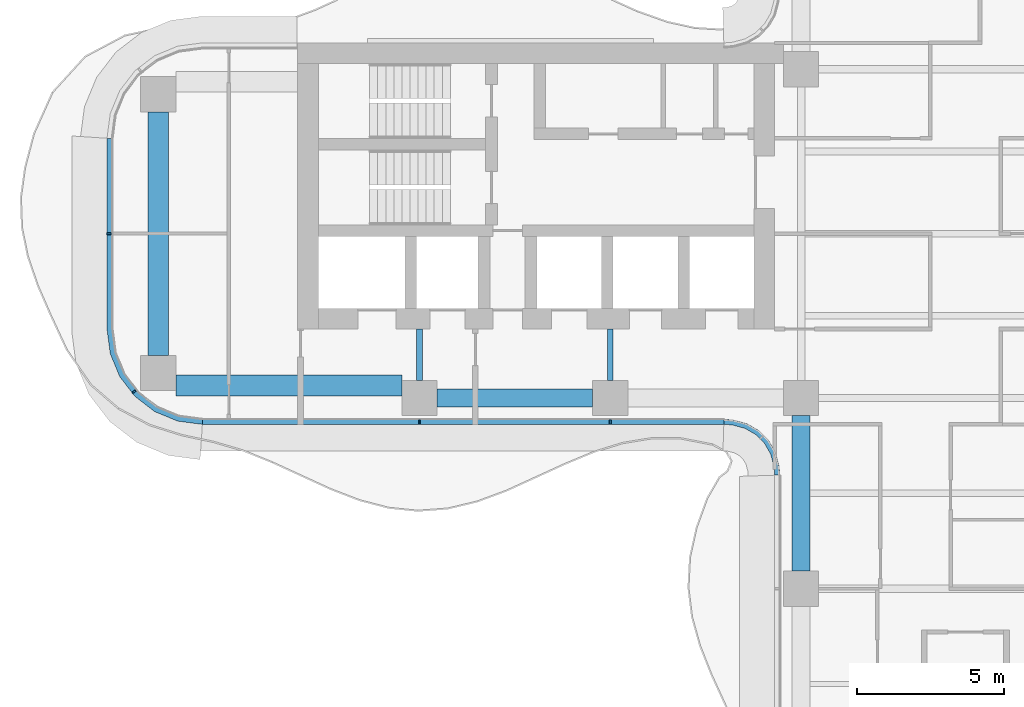
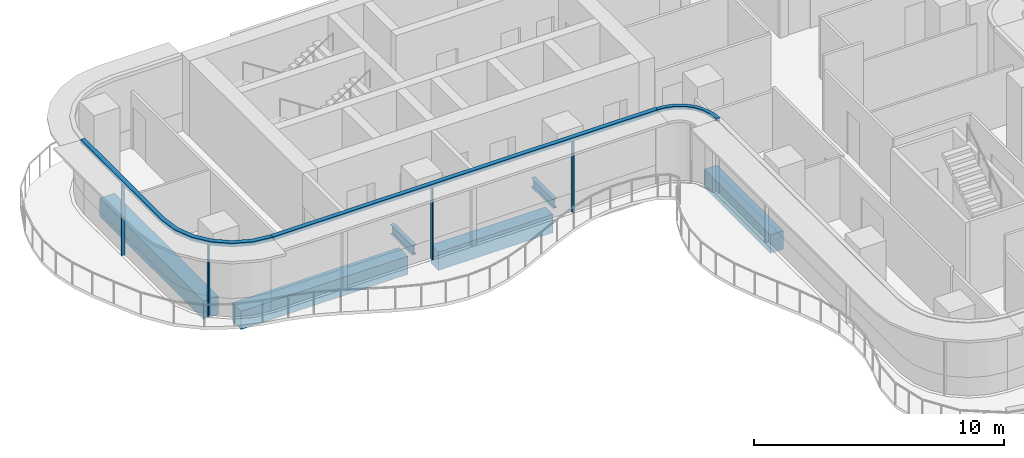
# One storey, part 3 of 18: 7 members, 6 beams, 3 elements without a shape of their own.
"""IFC4 building model written with IfcOpenShell, lengths in metres."""

from ifc_helpers import new_model, si_unit, direction, frame, origin, origin_2d, place, context, subcontext, project, spatial, polyline, rectangle, i_section, outline, extrude, source, transform, mapped, material, layer, layer_set, material_profile, profile_set, type_object, element, aggregate, save


model = new_model("IFC4")

# Units and contexts
model_context = context("Model", 3, precision=1e-05, world=origin(), true_north=direction((0.0, 1.0)))
body_context = subcontext(model_context, "Body", "Model", "MODEL_VIEW")
ifc_project = project(units=[si_unit("LENGTHUNIT", "METRE"), si_unit("AREAUNIT", "SQUARE_METRE"), si_unit("VOLUMEUNIT", "CUBIC_METRE"), si_unit("PLANEANGLEUNIT", "RADIAN"), si_unit("MASSUNIT", "GRAM", prefix="KILO")], contexts=[model_context])

# Site, building, storey
site_placement = place(None, origin())
site = spatial("IfcSite", under=ifc_project, at=site_placement, CompositionType="ELEMENT")
building_placement = place(site_placement, origin())
building = spatial("IfcBuilding", under=site, at=building_placement, Name="Trellis Farm Tower", CompositionType="ELEMENT")
storey_placement = place(building_placement, frame((0.0, 0.0, 193.199951171875)))
storey = spatial("IfcBuildingStorey", under=building, at=storey_placement, Name="L42", CompositionType="ELEMENT", Elevation=193.199951171875)

# Beams
ifc_material_1 = material(Name="Concrete C60/75", Category="concrete")
ifc_material_profile_1 = material_profile(ifc_material_1, rectangle(XDim=0.60009765625, YDim=0.89990234375, at=origin_2d()), Name="RC spandrel beam 600x900 C60/75")
ifc_profile_set_1 = profile_set([ifc_material_profile_1], Name="Concrete C60/75")
beam_type_1 = type_object("IfcBeamType", Name="RC spandrel beam 600x900 C60/75", PredefinedType="SPANDREL", material=ifc_profile_set_1)
shared_shape_1 = source(origin(), body_context, "Body", "SweptSolid", [
    extrude(rectangle(XDim=0.60009765625, YDim=0.89990234375, at=origin_2d()), origin(), (0.0, 0.0, 1.0), 5.300048828125),
])
for number, where, z_axis, x_axis, name in (
    (1, (-18.0, -5.60009765625, -0.64990234375), (1.0, 0.0, 0.0), (0.0, 1.0, 0.0), "Girder"),
    (2, (-5.60009765625, -11.5, -0.64990234375), (0.0, 1.0, 0.0), (-1.0, 0.0, 0.0), "Girder"),
):
    element("IfcBeam", number, at=place(storey_placement, frame(where, z_axis=z_axis, x_axis=x_axis)), inside=storey, type_object=beam_type_1, Name=name, PredefinedType="SPANDREL", context=body_context, shape_type="MappedRepresentation", body=[
        mapped(shared_shape_1, transform((0.0, 0.0, 0.0))),
    ])
ifc_material_profile_2 = material_profile(ifc_material_1, rectangle(XDim=0.699951171875, YDim=0.89990234375, at=origin_2d()), Name="RC spandrel beam 700x900 C60/75")
ifc_profile_set_2 = profile_set([ifc_material_profile_2], Name="Concrete C60/75")
beam_type_2 = type_object("IfcBeamType", Name="RC spandrel beam 700x900 C60/75", PredefinedType="SPANDREL", material=ifc_profile_set_2)
shared_shape_2 = source(origin(), body_context, "Body", "SweptSolid", [
    extrude(rectangle(XDim=0.699951171875, YDim=0.89990234375, at=origin_2d()), origin(), (0.0, 0.0, 1.0), 8.2998046875),
])
beam_1_placement = place(storey_placement, frame((-27.5, -4.14990234375, -0.64990234375), z_axis=(0.0, 1.0, 0.0), x_axis=(-1.0, 0.0, 0.0)))
element("IfcBeam", 3, at=beam_1_placement, inside=storey, type_object=beam_type_2, Name="Girder", PredefinedType="SPANDREL", context=body_context, shape_type="MappedRepresentation", body=[
    mapped(shared_shape_2, transform((0.0, 0.0, 0.0))),
])
ifc_material_2 = material(Name="Steel S355", Category="steel")
ifc_material_profile_3 = material_profile(ifc_material_2, i_section(OverallWidth=0.1904296875, OverallDepth=0.45703125, WebThickness=0.009033203125, FlangeThickness=0.014404296875, FilletRadius=0.01025390625, at=origin_2d()), Name="UB 457x191x74")
ifc_profile_set_3 = profile_set([ifc_material_profile_3], Name="Steel S355")
beam_type_3 = type_object("IfcBeamType", Name="UB 457x191x74", PredefinedType="BEAM", material=ifc_profile_set_3)
shared_shape_3 = source(origin(), body_context, "Body", "SweptSolid", [
    extrude(i_section(OverallWidth=0.1904296875, OverallDepth=0.45703125, WebThickness=0.009033203125, FlangeThickness=0.014404296875, FilletRadius=0.01025390625, at=origin_2d()), origin(), (0.0, 0.0, 1.0), 1.75),
])
for number, where, z_axis, x_axis, name in (
    (4, (-18.60009765625, -5.0, -0.428466796875), (0.0, 1.0, 0.0), (-1.0, 0.0, 0.0), "Girder"),
    (5, (-12.10009765625, -5.0, -0.428466796875), (0.0, 1.0, 0.0), (-1.0, 0.0, 0.0), "Girder"),
):
    element("IfcBeam", number, at=place(storey_placement, frame(where, z_axis=z_axis, x_axis=x_axis)), inside=storey, type_object=beam_type_3, Name=name, PredefinedType="BEAM", context=body_context, shape_type="MappedRepresentation", body=[
        mapped(shared_shape_3, transform((0.0, 0.0, 0.0))),
    ])
shared_shape_4 = source(origin(), body_context, "Body", "SweptSolid", [
    extrude(rectangle(XDim=0.699951171875, YDim=0.89990234375, at=origin_2d()), origin(), (0.0, 0.0, 1.0), 7.699951171875),
])
beam_2_placement = place(storey_placement, frame((-26.89990234375, -5.175048828125, -0.64990234375), z_axis=(1.0, 0.0, 0.0), x_axis=(0.0, 1.0, 0.0)))
element("IfcBeam", 6, at=beam_2_placement, inside=storey, type_object=beam_type_2, Name="Girder", PredefinedType="SPANDREL", context=body_context, shape_type="MappedRepresentation", body=[
    mapped(shared_shape_4, transform((0.0, 0.0, 0.0))),
])

# Curtain wall, member
ifc_material_3 = material(Name="Aluminium and glass curtain wall", Category="aluminium")
ifc_layer_1 = layer(ifc_material_3, 0.166015625)
ifc_layer_set_1 = layer_set([ifc_layer_1], Name="WINTER GARDEN CURTAIN WALL CW3")
curtain_wall_type_1 = type_object("IfcCurtainWallType", Name="WINTER GARDEN CURTAIN WALL CW3", PredefinedType="NOTDEFINED", material=ifc_layer_set_1)
placement_1 = place(storey_placement, origin())
curtain_wall_1 = element("IfcCurtainWall", 7, at=placement_1, inside=storey, type_object=curtain_wall_type_1, Name="CW3 001", PredefinedType="NOTDEFINED")
ifc_material_4 = material(Name="Aluminium extrusion 6063-T6", Category="aluminium")
ifc_layer_2 = layer(ifc_material_4, 0.169921875)
ifc_layer_set_2 = layer_set([ifc_layer_2], Name="Aluminium extrusion 6063-T6")
member_type_1 = type_object("IfcMemberType", Name="CW3 TRANSOM 170x150", PredefinedType="USERDEFINED", material=ifc_layer_set_2)
shared_shape_5 = source(origin(), body_context, "Body", "SweptSolid", [
    extrude(outline(polyline([(-8.2314453125, -6.5), (-8.01953125, -6.513916015625), (-7.91552734375, -6.527587890625), (-7.508544921875, -6.63671875), (-7.144287109375, -6.846923828125), (-6.846923828125, -7.144287109375), (-6.63671875, -7.508544921875), (-6.527587890625, -7.91552734375), (-6.513916015625, -8.01953125), (-6.5, -8.2314453125), (-6.330078125, -8.225830078125), (-6.3447265625, -8.0029296875), (-6.360595703125, -7.88232421875), (-6.478271484375, -7.44287109375), (-6.7109375, -7.0400390625), (-7.0400390625, -6.7109375), (-7.44287109375, -6.478271484375), (-7.88232421875, -6.360595703125), (-8.0029296875, -6.3447265625), (-8.225830078125, -6.330078125), (-8.2314453125, -6.5)])), origin(), (0.0, 0.0, 1.0), 0.14990234375),
])
member_1_placement = place(storey_placement, frame((0.0, 0.0, 3.550048828125)))
member_1 = element("IfcMember", 8, at=member_1_placement, type_object=member_type_1, Name="TR3 001", ObjectType="TRANSOM", PredefinedType="USERDEFINED", context=body_context, shape_type="MappedRepresentation", body=[
    mapped(shared_shape_5, transform((0.0, 0.0, 0.0))),
])
aggregate(curtain_wall_1, [member_1])

# Curtain wall, members
ifc_layer_3 = layer(ifc_material_3, 0.18994140625)
ifc_layer_set_3 = layer_set([ifc_layer_3], Name="RIBBON CURTAIN WALL CW1")
curtain_wall_type_2 = type_object("IfcCurtainWallType", Name="RIBBON CURTAIN WALL CW1", PredefinedType="NOTDEFINED", material=ifc_layer_set_3)
curtain_wall_2 = element("IfcCurtainWall", 9, at=placement_1, inside=storey, type_object=curtain_wall_type_2, Name="CW1 001", PredefinedType="NOTDEFINED")
ifc_material_profile_4 = material_profile(ifc_material_4, rectangle(XDim=0.06005859375, YDim=0.14990234375, at=origin_2d()), Name="MULLION 60x150")
ifc_profile_set_4 = profile_set([ifc_material_profile_4], Name="Aluminium extrusion 6063-T6")
member_type_2 = type_object("IfcMemberType", Name="CW1 MULLION 60x150", PredefinedType="MULLION", material=ifc_profile_set_4)
shared_shape_6 = source(origin(), body_context, "Body", "SweptSolid", [
    extrude(rectangle(XDim=0.06005859375, YDim=0.14990234375, at=origin_2d()), origin(), (0.0, 0.0, 1.0), 3.52001953125),
])
member_2_placement = place(storey_placement, frame((-18.60009765625, -6.425048828125, 0.0), z_axis=(0.0, 0.0, 1.0), x_axis=(1.0, 0.0, 0.0)))
member_2 = element("IfcMember", 10, at=member_2_placement, type_object=member_type_2, Name="MU1 001-01", PredefinedType="MULLION", context=body_context, shape_type="MappedRepresentation", body=[
    mapped(shared_shape_6, transform((0.0, 0.0, 0.0))),
])
member_3_placement = place(storey_placement, frame((-12.10009765625, -6.425048828125, 0.0), z_axis=(0.0, 0.0, 1.0), x_axis=(1.0, 0.0, 0.0)))
member_3 = element("IfcMember", 11, at=member_3_placement, type_object=member_type_2, Name="MU1 001-02", PredefinedType="MULLION", context=body_context, shape_type="MappedRepresentation", body=[
    mapped(shared_shape_6, transform((0.0, 0.0, 0.0))),
])

curtain_wall_3 = element("IfcCurtainWall", 12, at=placement_1, inside=storey, type_object=curtain_wall_type_2, Name="CW1 013", PredefinedType="NOTDEFINED")
member_4_placement = place(storey_placement, frame((-29.175048828125, 0.0, 0.0), z_axis=(0.0, 0.0, 1.0), x_axis=(0.0, -1.0, 0.0)))
member_4 = element("IfcMember", 13, at=member_4_placement, type_object=member_type_2, Name="MU1 013-01", PredefinedType="MULLION", context=body_context, shape_type="MappedRepresentation", body=[
    mapped(shared_shape_6, transform((0.0, 0.0, 0.0))),
])
member_5_placement = place(storey_placement, frame((-28.328369140625, -5.385498046875, 0.0), z_axis=(0.0, 0.0, 1.0), x_axis=(0.608761429009, -0.793353340291, 0.0)))
member_5 = element("IfcMember", 14, at=member_5_placement, type_object=member_type_2, Name="MU1 013-02", PredefinedType="MULLION", context=body_context, shape_type="MappedRepresentation", body=[
    mapped(shared_shape_6, transform((0.0, 0.0, 0.0))),
])

# Member
ifc_layer_4 = layer(ifc_material_4, 0.199951171875)
ifc_layer_set_4 = layer_set([ifc_layer_4], Name="Aluminium extrusion 6063-T6")
member_type_3 = type_object("IfcMemberType", Name="CW1 TRANSOM 200x180", PredefinedType="USERDEFINED", material=ifc_layer_set_4)
shared_shape_7 = source(origin(), body_context, "Body", "SweptSolid", [
    extrude(outline(polyline([(-26.0, -6.5), (-8.2314453125, -6.5), (-8.224853515625, -6.300048828125), (-25.98681640625, -6.300048828125), (-26.0, -6.5)])), origin(), (0.0, 0.0, 1.0), 0.179931640625),
])
placement_2 = place(storey_placement, frame((0.0, 0.0, 3.52001953125)))
member_6 = element("IfcMember", 15, at=placement_2, type_object=member_type_3, Name="TR1 001", ObjectType="TRANSOM", PredefinedType="USERDEFINED", context=body_context, shape_type="MappedRepresentation", body=[
    mapped(shared_shape_7, transform((0.0, 0.0, 0.0))),
])

aggregate(curtain_wall_2, [member_2, member_3, member_6])

shared_shape_8 = source(origin(), body_context, "Body", "SweptSolid", [
    extrude(outline(polyline([(-29.25, 3.25), (-29.25, -3.25), (-29.13916015625, -4.091064453125), (-28.814697265625, -4.875), (-28.298095703125, -5.548095703125), (-27.625, -6.064697265625), (-26.841064453125, -6.38916015625), (-26.0, -6.5), (-25.98681640625, -6.300048828125), (-26.7890625, -6.1943359375), (-27.524169921875, -5.889892578125), (-28.155517578125, -5.405517578125), (-28.639892578125, -4.774169921875), (-28.9443359375, -4.0390625), (-29.050048828125, -3.23681640625), (-29.050048828125, 3.23681640625), (-29.25, 3.25)])), origin(), (0.0, 0.0, 1.0), 0.179931640625),
])
member_7 = element("IfcMember", 16, at=placement_2, type_object=member_type_3, Name="TR1 013", ObjectType="TRANSOM", PredefinedType="USERDEFINED", context=body_context, shape_type="MappedRepresentation", body=[
    mapped(shared_shape_8, transform((0.0, 0.0, 0.0))),
])

aggregate(curtain_wall_3, [member_4, member_5, member_7])

save(model, "model.ifc")
